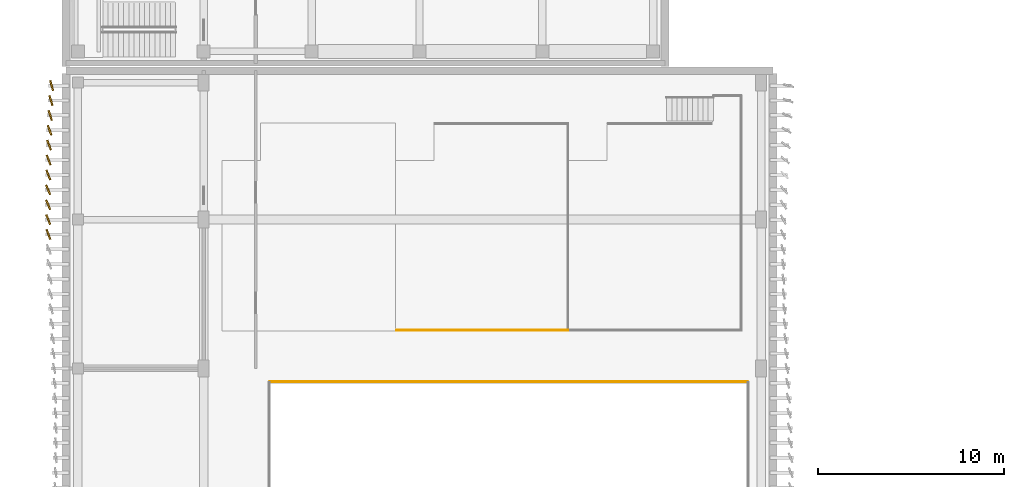
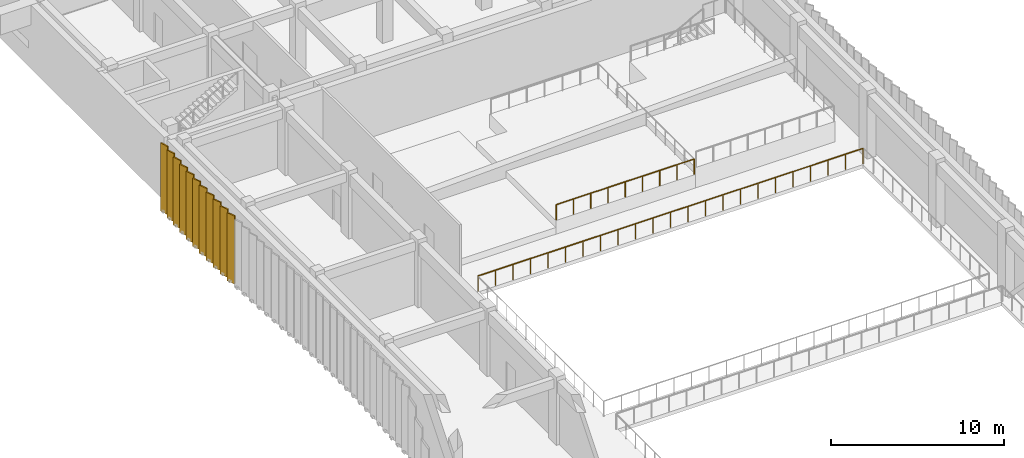
# One storey, part 54 of 64: 11 coverings, 2 railings.
"""IFC4 building model written with IfcOpenShell, lengths in metres."""

from ifc_helpers import new_model, si_unit, direction, frame, origin, origin_2d, place, context, subcontext, project, spatial, rectangle, circle, extrude, material, layer, layer_set, type_object, element, save


model = new_model("IFC4")

# Units and contexts
model_context = context("Model", 3, precision=1e-05, world=origin(), true_north=direction((0.0, 1.0)))
body_context = subcontext(model_context, "Body", "Model", "MODEL_VIEW")
ifc_project = project(units=[si_unit("LENGTHUNIT", "METRE"), si_unit("AREAUNIT", "SQUARE_METRE"), si_unit("VOLUMEUNIT", "CUBIC_METRE"), si_unit("PLANEANGLEUNIT", "RADIAN"), si_unit("MASSUNIT", "GRAM", prefix="KILO")], contexts=[model_context])

# Site, building, storey
site_placement = place(None, origin())
site = spatial("IfcSite", under=ifc_project, at=site_placement, CompositionType="ELEMENT")
building_placement = place(site_placement, origin())
building = spatial("IfcBuilding", under=site, at=building_placement, Name="Cinchona Park Media Centre", CompositionType="ELEMENT")
storey_placement = place(building_placement, frame((0.0, 0.0, 5.39990234375)))
storey = spatial("IfcBuildingStorey", under=building, at=storey_placement, Name="L01", CompositionType="ELEMENT", Elevation=5.39990234375)

# Coverings
ifc_material_1 = material(Name="Anodised Storm-Resistant Aluminium Fin", Category="aluminium")
ifc_layer = layer(ifc_material_1, 0.090087890625)
ifc_layer_set = layer_set([ifc_layer], Name="Anodised Storm-Resistant Aluminium Fin")
covering_type = type_object("IfcCoveringType", Name="CLADDING-FIN01", PredefinedType="CLADDING", material=ifc_layer_set)
for number, where, z_axis, x_axis, name in (
    (1, (7.22998046875, 62.800048828125, 0.0), (0.0, 0.0, 1.0), (0.270096344686, -0.962833300518, 0.0), "Twisting Vertical Facade Fin L01"),
    (2, (7.19091796875, 62.0, 0.0), (0.0, 0.0, 1.0), (0.291870944669, -0.956457710334, 0.0), "Twisting Vertical Facade Fin L01"),
    (3, (7.154052734375, 61.199951171875, 0.0), (0.0, 0.0, 1.0), (0.312500715155, -0.949917524329, 0.0), "Twisting Vertical Facade Fin L01"),
    (4, (7.1201171875, 60.39990234375, 0.0), (0.0, 0.0, 1.0), (0.331008520407, -0.943627765286, 0.0), "Twisting Vertical Facade Fin L01"),
    (5, (7.091064453125, 59.60009765625, 0.0), (0.0, 0.0, 1.0), (0.346771953791, -0.937949472021, 0.0), "Twisting Vertical Facade Fin L01"),
    (6, (7.068115234375, 58.800048828125, 0.0), (0.0, 0.0, 1.0), (0.359345396006, -0.933204632634, 0.0), "Twisting Vertical Facade Fin L01"),
    (7, (7.052001953125, 58.0, 0.0), (0.0, 0.0, 1.0), (0.36844908347, -0.929647929536, 0.0), "Twisting Vertical Facade Fin L01"),
    (8, (7.0419921875, 57.199951171875, 0.0), (0.0, 0.0, 1.0), (0.373473545352, -0.927640830776, 0.0), "Twisting Vertical Facade Fin L01"),
    (9, (7.0400390625, 56.39990234375, 0.0), (0.0, 0.0, 1.0), (0.374444763601, -0.927249221629, 0.0), "Twisting Vertical Facade Fin L01"),
    (10, (7.0458984375, 55.60009765625, 0.0), (0.0, 0.0, 1.0), (0.37136783555, -0.928485826881, 0.0), "Twisting Vertical Facade Fin L01"),
    (11, (7.05908203125, 54.800048828125, 0.0), (0.0, 0.0, 1.0), (0.364389234658, -0.931246737264, 0.0), "Twisting Vertical Facade Fin L01"),
):
    element("IfcCovering", number, at=place(storey_placement, frame(where, z_axis=z_axis, x_axis=x_axis)), inside=storey, type_object=covering_type, Name=name, PredefinedType="CLADDING", context=body_context, shape_type="SweptSolid", body=[
        extrude(rectangle(XDim=0.56005859375, YDim=0.090087890625, at=origin_2d()), origin(), (0.0, 0.0, 1.0), 4.800048828125),
    ])

# Railings
ifc_material_2 = material(Name="Galvanised Painted Steel Balustrade", Category="steel")
railing_type_1 = type_object("IfcRailingType", Name="RAILING-GR01", PredefinedType="BALUSTRADE", material=ifc_material_2)
railing_1_placement = place(storey_placement, frame((44.64794921875, 46.8798828125, 0.0)))
element("IfcRailing", 12, at=railing_1_placement, inside=storey, type_object=railing_type_1, Name="Atrium Balustrade GR01 VOID-L01-CIN2 S3", PredefinedType="BALUSTRADE", context=body_context, shape_type="SweptSolid", body=[
    extrude(circle(Radius=0.02392578125, at=origin_2d()), frame((0.0, 0.0, 1.076171875), z_axis=(-1.0, 0.0, 0.0), x_axis=(0.0, -1.0, 0.0)), (0.0, 0.0, 1.0), 25.696044921875),
    extrude(circle(Radius=0.02099609375, at=origin_2d()), origin(), (0.0, 0.0, 1.0), 1.052001953125),
    extrude(circle(Radius=0.02099609375, at=origin_2d()), frame((-1.16796875, 0.0, 0.0)), (0.0, 0.0, 1.0), 1.052001953125),
    extrude(circle(Radius=0.02099609375, at=origin_2d()), frame((-2.3359375, 0.0, 0.0)), (0.0, 0.0, 1.0), 1.052001953125),
    extrude(circle(Radius=0.02099609375, at=origin_2d()), frame((-3.50390625, 0.0, 0.0)), (0.0, 0.0, 1.0), 1.052001953125),
    extrude(circle(Radius=0.02099609375, at=origin_2d()), frame((-4.672119140625, 0.0, 0.0)), (0.0, 0.0, 1.0), 1.052001953125),
    extrude(circle(Radius=0.02099609375, at=origin_2d()), frame((-5.840087890625, 0.0, 0.0)), (0.0, 0.0, 1.0), 1.052001953125),
    extrude(circle(Radius=0.02099609375, at=origin_2d()), frame((-7.008056640625, 0.0, 0.0)), (0.0, 0.0, 1.0), 1.052001953125),
    extrude(circle(Radius=0.02099609375, at=origin_2d()), frame((-8.176025390625, 0.0, 0.0)), (0.0, 0.0, 1.0), 1.052001953125),
    extrude(circle(Radius=0.02099609375, at=origin_2d()), frame((-9.343994140625, 0.0, 0.0)), (0.0, 0.0, 1.0), 1.052001953125),
    extrude(circle(Radius=0.02099609375, at=origin_2d()), frame((-10.511962890625, 0.0, 0.0)), (0.0, 0.0, 1.0), 1.052001953125),
    extrude(circle(Radius=0.02099609375, at=origin_2d()), frame((-11.679931640625, 0.0, 0.0)), (0.0, 0.0, 1.0), 1.052001953125),
    extrude(circle(Radius=0.02099609375, at=origin_2d()), frame((-12.84814453125, 0.0, 0.0)), (0.0, 0.0, 1.0), 1.052001953125),
    extrude(circle(Radius=0.02099609375, at=origin_2d()), frame((-14.01611328125, 0.0, 0.0)), (0.0, 0.0, 1.0), 1.052001953125),
    extrude(circle(Radius=0.02099609375, at=origin_2d()), frame((-15.18408203125, 0.0, 0.0)), (0.0, 0.0, 1.0), 1.052001953125),
    extrude(circle(Radius=0.02099609375, at=origin_2d()), frame((-16.35205078125, 0.0, 0.0)), (0.0, 0.0, 1.0), 1.052001953125),
    extrude(circle(Radius=0.02099609375, at=origin_2d()), frame((-17.52001953125, 0.0, 0.0)), (0.0, 0.0, 1.0), 1.052001953125),
    extrude(circle(Radius=0.02099609375, at=origin_2d()), frame((-18.68798828125, 0.0, 0.0)), (0.0, 0.0, 1.0), 1.052001953125),
    extrude(circle(Radius=0.02099609375, at=origin_2d()), frame((-19.85595703125, 0.0, 0.0)), (0.0, 0.0, 1.0), 1.052001953125),
    extrude(circle(Radius=0.02099609375, at=origin_2d()), frame((-21.02392578125, 0.0, 0.0)), (0.0, 0.0, 1.0), 1.052001953125),
    extrude(circle(Radius=0.02099609375, at=origin_2d()), frame((-22.192138671875, 0.0, 0.0)), (0.0, 0.0, 1.0), 1.052001953125),
    extrude(circle(Radius=0.02099609375, at=origin_2d()), frame((-23.360107421875, 0.0, 0.0)), (0.0, 0.0, 1.0), 1.052001953125),
    extrude(circle(Radius=0.02099609375, at=origin_2d()), frame((-24.528076171875, 0.0, 0.0)), (0.0, 0.0, 1.0), 1.052001953125),
    extrude(circle(Radius=0.02099609375, at=origin_2d()), frame((-25.696044921875, 0.0, 0.0)), (0.0, 0.0, 1.0), 1.052001953125),
])
ifc_material_3 = material(Name="Painted Steel Stairwell Guardrail", Category="steel")
railing_type_2 = type_object("IfcRailingType", Name="RAILING-GR02", PredefinedType="GUARDRAIL", material=ifc_material_3)
railing_2_placement = place(storey_placement, frame((25.780029296875, 49.64990234375, 0.960205078125)))
element("IfcRailing", 13, at=railing_2_placement, inside=storey, type_object=railing_type_2, Name="Auditorium Tier Side Guardrail GR02 145", PredefinedType="GUARDRAIL", context=body_context, shape_type="SweptSolid", body=[
    extrude(circle(Radius=0.02392578125, at=origin_2d()), frame((0.0, 0.0, 1.076171875), z_axis=(1.0, 0.0, 0.0), x_axis=(0.0, 1.0, 0.0)), (0.0, 0.0, 1.0), 9.199951171875),
    extrude(circle(Radius=0.02099609375, at=origin_2d()), origin(), (0.0, 0.0, 1.0), 1.052001953125),
    extrude(circle(Radius=0.02099609375, at=origin_2d()), frame((1.14990234375, 0.0, 0.0)), (0.0, 0.0, 1.0), 1.052001953125),
    extrude(circle(Radius=0.02099609375, at=origin_2d()), frame((2.300048828125, 0.0, 0.0)), (0.0, 0.0, 1.0), 1.052001953125),
    extrude(circle(Radius=0.02099609375, at=origin_2d()), frame((3.449951171875, 0.0, 0.0)), (0.0, 0.0, 1.0), 1.052001953125),
    extrude(circle(Radius=0.02099609375, at=origin_2d()), frame((4.60009765625, 0.0, 0.0)), (0.0, 0.0, 1.0), 1.052001953125),
    extrude(circle(Radius=0.02099609375, at=origin_2d()), frame((5.75, 0.0, 0.0)), (0.0, 0.0, 1.0), 1.052001953125),
    extrude(circle(Radius=0.02099609375, at=origin_2d()), frame((6.89990234375, 0.0, 0.0)), (0.0, 0.0, 1.0), 1.052001953125),
    extrude(circle(Radius=0.02099609375, at=origin_2d()), frame((8.050048828125, 0.0, 0.0)), (0.0, 0.0, 1.0), 1.052001953125),
    extrude(circle(Radius=0.02099609375, at=origin_2d()), frame((9.199951171875, 0.0, 0.0)), (0.0, 0.0, 1.0), 1.052001953125),
])

save(model, "model.ifc")
